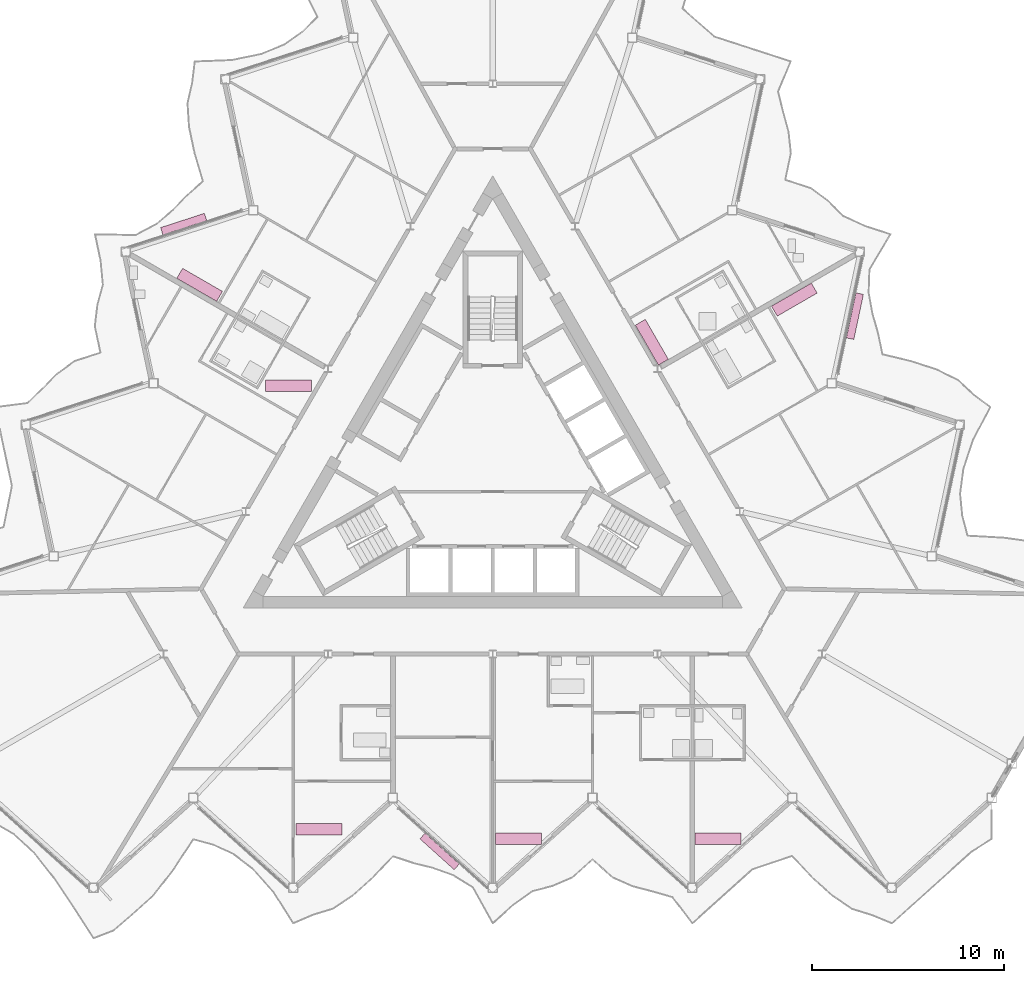
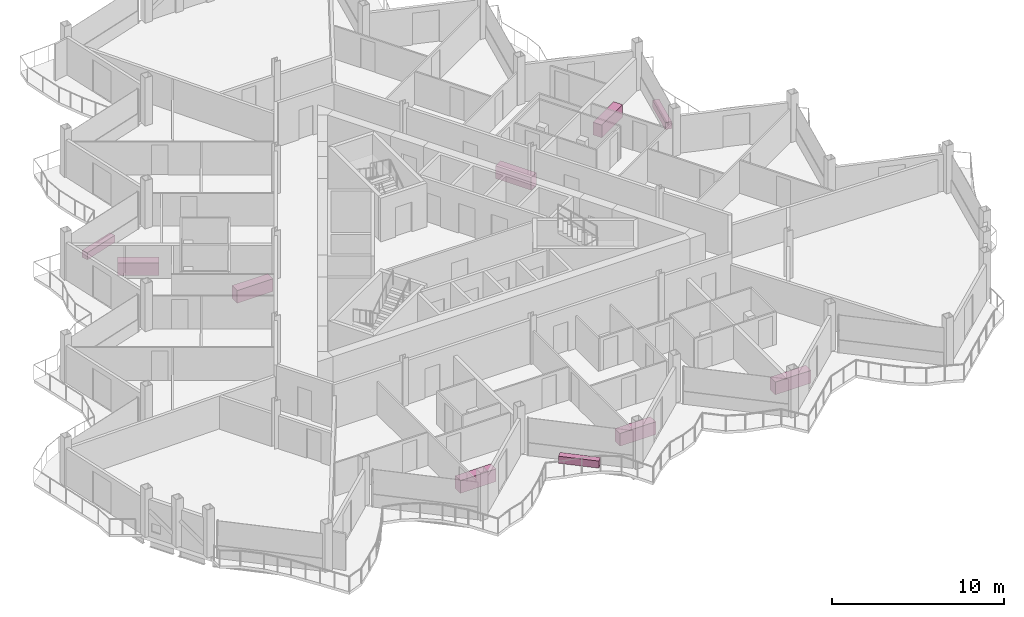
# One storey, part 25 of 25: 10 furniture elements.
"""IFC4 building model written with IfcOpenShell, lengths in metres."""

from ifc_helpers import new_model, si_unit, direction, frame, origin, origin_2d, place, context, subcontext, project, spatial, rectangle, extrude, material, type_object, element, save


model = new_model("IFC4")

# Units and contexts
model_context = context("Model", 3, precision=1e-05, world=origin(), true_north=direction((0.0, 1.0)))
body_context = subcontext(model_context, "Body", "Model", "MODEL_VIEW")
ifc_project = project(units=[si_unit("LENGTHUNIT", "METRE"), si_unit("AREAUNIT", "SQUARE_METRE"), si_unit("VOLUMEUNIT", "CUBIC_METRE"), si_unit("PLANEANGLEUNIT", "RADIAN"), si_unit("MASSUNIT", "GRAM", prefix="KILO")], contexts=[model_context])

# Site, building, storey
site_placement = place(None, origin())
site = spatial("IfcSite", under=ifc_project, at=site_placement, CompositionType="ELEMENT")
building_placement = place(site_placement, origin())
building = spatial("IfcBuilding", under=site, at=building_placement, Name="Cormorant Prow Tower", CompositionType="ELEMENT")
storey_placement = place(building_placement, frame((0.0, 0.0, 395.0)))
storey = spatial("IfcBuildingStorey", under=building, at=storey_placement, Name="L90", CompositionType="ELEMENT", Elevation=395.0)

# Furniture
ifc_material_1 = material(Name="Terracotta", Category="masonry")
furniture_type_1 = type_object("IfcFurnitureType", Name="Balcony planter 2400x400x500", AssemblyPlace="NOTDEFINED", PredefinedType="USERDEFINED", material=ifc_material_1)
for number, where, z_axis, x_axis, name in (
    (1, (-2.767333984375, -20.191650390625, 0.0), (0.0, 0.0, 1.0), (0.743144827638, -0.669130603959, 0.0), "Balcony planter S04"),
    (2, (18.8701171875, 7.69921875, 0.0), (0.0, 0.0, 1.0), (0.207911649162, 0.978147609588, 0.0), "Balcony planter ENE04"),
    (3, (-16.102783203125, 12.492431640625, 0.0), (0.0, 0.0, 1.0), (-0.951056492904, -0.309017066365, 0.0), "Balcony planter WNW04"),
):
    element("IfcFurniture", number, at=place(storey_placement, frame(where, z_axis=z_axis, x_axis=x_axis)), inside=storey, type_object=furniture_type_1, Name=name, ObjectType="PLANTER", PredefinedType="USERDEFINED", context=body_context, shape_type="SweptSolid", body=[
        extrude(rectangle(XDim=2.39990234375, YDim=0.39990234375, at=origin_2d()), origin(), (0.0, 0.0, 1.0), 0.5),
    ])
ifc_material_2 = material(Name="Timber joinery", Category="wood")
furniture_type_2 = type_object("IfcFurnitureType", Name="Kitchen counter 2400x600", AssemblyPlace="NOTDEFINED", PredefinedType="NOTDEFINED", material=ifc_material_2)
for number, where, z_axis, x_axis, name in (
    (4, (-9.054931640625, -19.033447265625, 0.0), (0.0, 0.0, 1.0), (1.0, 0.0, 0.0), "Kitchen counter"),
    (5, (1.344970703125, -19.533447265625, 0.0), (0.0, 0.0, 1.0), (1.0, 0.0, 0.0), "Kitchen counter"),
    (6, (11.7451171875, -19.533447265625, 0.0), (0.0, 0.0, 1.0), (1.0, 0.0, 0.0), "Kitchen counter"),
    (7, (15.715087890625, 8.559326171875, 0.0), (0.0, 0.0, 1.0), (0.866025403784, 0.5, 0.0), "Kitchen counter"),
    (8, (8.291259765625, 6.340087890625, 0.0), (0.0, 0.0, 1.0), (-0.5, 0.866025403784, 0.0), "Kitchen counter"),
    (9, (-15.27001953125, 9.330078125, 0.0), (0.0, 0.0, 1.0), (-0.866025403784, 0.5, 0.0), "Kitchen counter"),
    (10, (-10.644775390625, 4.08447265625, 0.0), (0.0, 0.0, 1.0), (1.0, 0.0, 0.0), "Kitchen counter"),
):
    element("IfcFurniture", number, at=place(storey_placement, frame(where, z_axis=z_axis, x_axis=x_axis)), inside=storey, type_object=furniture_type_2, Name=name, PredefinedType="NOTDEFINED", context=body_context, shape_type="SweptSolid", body=[
        extrude(rectangle(XDim=2.39990234375, YDim=0.60009765625, at=origin_2d()), origin(), (0.0, 0.0, 1.0), 0.89990234375),
    ])

save(model, "model.ifc")
